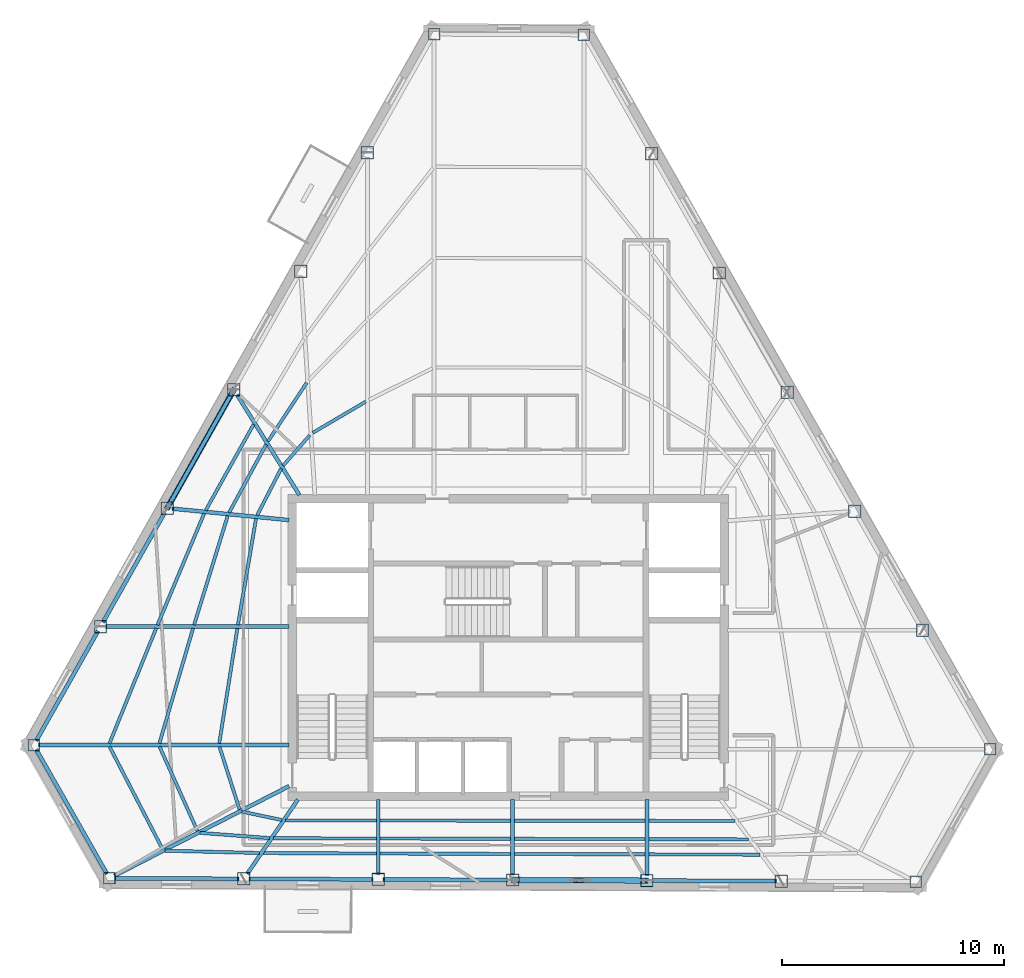
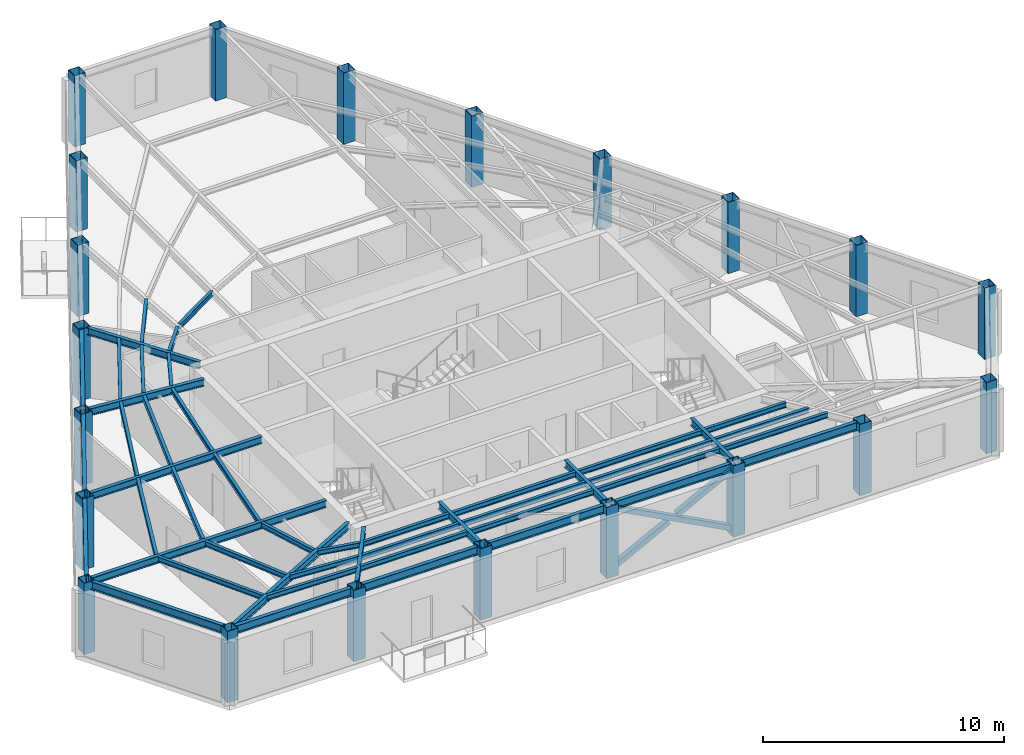
# One storey, part 1 of 10: 48 beams, 21 columns, 4 members.
"""IFC4 building model written with IfcOpenShell, lengths in metres."""

from ifc_helpers import new_model, si_unit, direction, frame, origin, origin_2d, place, context, subcontext, project, spatial, hollow_rectangle, i_section, extrude, material, material_profile, profile_set, type_object, element, save


model = new_model("IFC4")

# Units and contexts
model_context = context("Model", 3, precision=1e-05, world=origin(), true_north=direction((0.0, 1.0)))
body_context = subcontext(model_context, "Body", "Model", "MODEL_VIEW")
ifc_project = project(units=[si_unit("LENGTHUNIT", "METRE"), si_unit("AREAUNIT", "SQUARE_METRE"), si_unit("VOLUMEUNIT", "CUBIC_METRE"), si_unit("PLANEANGLEUNIT", "RADIAN"), si_unit("MASSUNIT", "GRAM", prefix="KILO")], contexts=[model_context])

# Site, building, storey
site_placement = place(None, origin())
site = spatial("IfcSite", under=ifc_project, at=site_placement, CompositionType="ELEMENT")
building_placement = place(site_placement, origin())
building = spatial("IfcBuilding", under=site, at=building_placement, Name="Kavelnor Concourse Tower", CompositionType="ELEMENT")
storey_placement = place(building_placement, frame((0.0, 0.0, 239.5)))
storey = spatial("IfcBuildingStorey", under=building, at=storey_placement, Name="L60", CompositionType="ELEMENT", Elevation=239.5)

# Columns
ifc_material = material(Name="Steel Grade 350", Category="steel")
ifc_material_profile_1 = material_profile(ifc_material, hollow_rectangle(XDim=0.52001953125, YDim=0.52001953125, WallThickness=0.02392578125, at=origin_2d()), Name="SHS 520x520x24")
ifc_profile_set_1 = profile_set([ifc_material_profile_1], Name="Steel Grade 350")
column_type_1 = type_object("IfcColumnType", Name="COL-FOLD-Z4", PredefinedType="COLUMN", material=ifc_profile_set_1)
for number, where, z_axis, x_axis, name in (
    (1, (34.65771484375, 43.666015625, 0.0), (0.0, 0.0, 1.0), (1.0, 0.0, 0.0), "L60 Perimeter Corner-Fold Column F0-B0"),
    (2, (16.66259765625, 11.70556640625, 0.0), (0.0, 0.0, 1.0), (1.0, 0.0, 0.0), "L60 Perimeter Corner-Fold Column F0-B6"),
    (3, (20.06640625, 5.71923828125, 0.0), (0.0, 0.0, 1.0), (1.0, 0.0, 0.0), "L60 Perimeter Corner-Fold Column F1-B0"),
    (4, (56.308837890625, 5.56640625, 0.0), (0.0, 0.0, 1.0), (1.0, 0.0, 0.0), "L60 Perimeter Corner-Fold Column F1-B6"),
    (5, (59.659423828125, 11.517333984375, 0.0), (0.0, 0.0, 1.0), (1.0, 0.0, 0.0), "L60 Perimeter Corner-Fold Column F2-B0"),
    (6, (41.3955078125, 43.6376953125, 0.0), (0.0, 0.0, 1.0), (1.0, 0.0, 0.0), "L60 Perimeter Corner-Fold Column F2-B6"),
):
    element("IfcColumn", number, at=place(storey_placement, frame(where, z_axis=z_axis, x_axis=x_axis)), inside=storey, type_object=column_type_1, Name=name, PredefinedType="COLUMN", context=body_context, shape_type="SweptSolid", body=[
        extrude(hollow_rectangle(XDim=0.52001953125, YDim=0.52001953125, WallThickness=0.02392578125, at=origin_2d()), origin(), (0.0, 0.0, 1.0), 3.610107421875),
    ])
ifc_material_profile_2 = material_profile(ifc_material, hollow_rectangle(XDim=0.56005859375, YDim=0.56005859375, WallThickness=0.02490234375, at=origin_2d()), Name="SHS 560x560x25")
ifc_profile_set_2 = profile_set([ifc_material_profile_2], Name="Steel Grade 350")
column_type_2 = type_object("IfcColumnType", Name="COL-TUBE-Z4", PredefinedType="COLUMN", material=ifc_profile_set_2)
for number, where, z_axis, x_axis, name in (
    (7, (31.658447265625, 38.33935546875, 0.0), (0.0, 0.0, 1.0), (1.0, 0.0, 0.0), "L60 Perimeter Framed-Tube Column F0-B1"),
    (8, (28.6591796875, 33.0126953125, 0.0), (0.0, 0.0, 1.0), (1.0, 0.0, 0.0), "L60 Perimeter Framed-Tube Column F0-B2"),
    (9, (25.66015625, 27.685791015625, 0.0), (0.0, 0.0, 1.0), (1.0, 0.0, 0.0), "L60 Perimeter Framed-Tube Column F0-B3"),
    (10, (22.660888671875, 22.359130859375, 0.0), (0.0, 0.0, 1.0), (1.0, 0.0, 0.0), "L60 Perimeter Framed-Tube Column F0-B4"),
    (11, (19.66162109375, 17.032470703125, 0.0), (0.0, 0.0, 1.0), (1.0, 0.0, 0.0), "L60 Perimeter Framed-Tube Column F0-B5"),
    (12, (26.106689453125, 5.693603515625, 0.0), (0.0, 0.0, 1.0), (1.0, 0.0, 0.0), "L60 Perimeter Framed-Tube Column F1-B1"),
    (13, (32.147216796875, 5.668212890625, 0.0), (0.0, 0.0, 1.0), (1.0, 0.0, 0.0), "L60 Perimeter Framed-Tube Column F1-B2"),
    (14, (38.187744140625, 5.642822265625, 0.0), (0.0, 0.0, 1.0), (1.0, 0.0, 0.0), "L60 Perimeter Framed-Tube Column F1-B3"),
    (15, (44.22802734375, 5.6171875, 0.0), (0.0, 0.0, 1.0), (1.0, 0.0, 0.0), "L60 Perimeter Framed-Tube Column F1-B4"),
    (16, (50.2685546875, 5.591796875, 0.0), (0.0, 0.0, 1.0), (1.0, 0.0, 0.0), "L60 Perimeter Framed-Tube Column F1-B5"),
    (17, (56.615478515625, 16.87060546875, 0.0), (0.0, 0.0, 1.0), (1.0, 0.0, 0.0), "L60 Perimeter Framed-Tube Column F2-B1"),
    (18, (53.571533203125, 22.22412109375, 0.0), (0.0, 0.0, 1.0), (1.0, 0.0, 0.0), "L60 Perimeter Framed-Tube Column F2-B2"),
    (19, (50.527587890625, 27.577392578125, 0.0), (0.0, 0.0, 1.0), (1.0, 0.0, 0.0), "L60 Perimeter Framed-Tube Column F2-B3"),
    (20, (47.483642578125, 32.930908203125, 0.0), (0.0, 0.0, 1.0), (1.0, 0.0, 0.0), "L60 Perimeter Framed-Tube Column F2-B4"),
    (21, (44.439697265625, 38.2841796875, 0.0), (0.0, 0.0, 1.0), (1.0, 0.0, 0.0), "L60 Perimeter Framed-Tube Column F2-B5"),
):
    element("IfcColumn", number, at=place(storey_placement, frame(where, z_axis=z_axis, x_axis=x_axis)), inside=storey, type_object=column_type_2, Name=name, PredefinedType="COLUMN", context=body_context, shape_type="SweptSolid", body=[
        extrude(hollow_rectangle(XDim=0.56005859375, YDim=0.56005859375, WallThickness=0.02490234375, at=origin_2d()), origin(), (0.0, 0.0, 1.0), 3.610107421875),
    ])

# Beams
ifc_material_profile_3 = material_profile(ifc_material, i_section(OverallWidth=0.14599609375, OverallDepth=0.256103515625, WebThickness=0.00634765625, FlangeThickness=0.010986328125, at=origin_2d()), Name="250UB37")
ifc_profile_set_3 = profile_set([ifc_material_profile_3], Name="Steel Grade 350")
beam_type_1 = type_object("IfcBeamType", Name="BM-JOIST-250", PredefinedType="JOIST", material=ifc_profile_set_3)
beam_1_placement = place(storey_placement, frame((25.012939453125, 11.62744140625, 3.48193359375), z_axis=(0.304808687647, -0.952413599197, 0.0), x_axis=(0.952413599197, 0.304808687647, 0.0)))
element("IfcBeam", 22, at=beam_1_placement, inside=storey, type_object=beam_type_1, Name="L60 Secondary Composite Joist 01-1", PredefinedType="JOIST", context=body_context, shape_type="SweptSolid", body=[
    extrude(i_section(OverallWidth=0.14599609375, OverallDepth=0.256103515625, WebThickness=0.00634765625, FlangeThickness=0.010986328125, at=origin_2d()), origin(), (0.0, 0.0, 1.0), 2.956298828125),
])
beam_2_placement = place(storey_placement, frame((22.319580078125, 11.630859375, 3.48193359375), z_axis=(0.409995636711, -0.912087483676, 0.0), x_axis=(0.912087483676, 0.409995636711, 0.0)))
element("IfcBeam", 23, at=beam_2_placement, inside=storey, type_object=beam_type_1, Name="L60 Secondary Composite Joist 01-2", PredefinedType="JOIST", context=body_context, shape_type="SweptSolid", body=[
    extrude(i_section(OverallWidth=0.14599609375, OverallDepth=0.256103515625, WebThickness=0.00634765625, FlangeThickness=0.010986328125, at=origin_2d()), origin(), (0.0, 0.0, 1.0), 4.154052734375),
])
beam_3_placement = place(storey_placement, frame((20.072265625, 11.6328125, 3.48193359375), z_axis=(0.459284340985, -0.888289307673, 0.0), x_axis=(0.888289307673, 0.459284340985, 0.0)))
element("IfcBeam", 24, at=beam_3_placement, inside=storey, type_object=beam_type_1, Name="L60 Secondary Composite Joist 01-3", PredefinedType="JOIST", context=body_context, shape_type="SweptSolid", body=[
    extrude(i_section(OverallWidth=0.14599609375, OverallDepth=0.256103515625, WebThickness=0.00634765625, FlangeThickness=0.010986328125, at=origin_2d()), origin(), (0.0, 0.0, 1.0), 5.176513671875),
])
beam_4_placement = place(storey_placement, frame((26.019287109375, 8.716796875, 3.48193359375), z_axis=(0.978351774582, -0.20694879843, 0.0), x_axis=(0.20694879843, 0.978351774582, 0.0)))
element("IfcBeam", 25, at=beam_4_placement, inside=storey, type_object=beam_type_1, Name="L60 Secondary Composite Joist 02-1", PredefinedType="JOIST", context=body_context, shape_type="SweptSolid", body=[
    extrude(i_section(OverallWidth=0.14599609375, OverallDepth=0.256103515625, WebThickness=0.00634765625, FlangeThickness=0.010986328125, at=origin_2d()), origin(), (0.0, 0.0, 1.0), 1.835693359375),
])
beam_5_placement = place(storey_placement, frame((24.13818359375, 7.760986328125, 3.48193359375), z_axis=(0.997203513229, -0.074733882571, 0.0), x_axis=(0.074733882571, 0.997203513229, 0.0)))
element("IfcBeam", 26, at=beam_5_placement, inside=storey, type_object=beam_type_1, Name="L60 Secondary Composite Joist 02-2", PredefinedType="JOIST", context=body_context, shape_type="SweptSolid", body=[
    extrude(i_section(OverallWidth=0.14599609375, OverallDepth=0.256103515625, WebThickness=0.00634765625, FlangeThickness=0.010986328125, at=origin_2d()), origin(), (0.0, 0.0, 1.0), 3.139404296875),
])
beam_6_placement = place(storey_placement, frame((22.5693359375, 6.9599609375, 3.48193359375), z_axis=(0.999698678402, -0.024546942822, 0.0), x_axis=(0.024546942822, 0.999698678402, 0.0)))
element("IfcBeam", 27, at=beam_6_placement, inside=storey, type_object=beam_type_1, Name="L60 Secondary Composite Joist 02-3", PredefinedType="JOIST", context=body_context, shape_type="SweptSolid", body=[
    extrude(i_section(OverallWidth=0.14599609375, OverallDepth=0.256103515625, WebThickness=0.00634765625, FlangeThickness=0.010986328125, at=origin_2d()), origin(), (0.0, 0.0, 1.0), 4.246826171875),
])
beam_7_placement = place(storey_placement, frame((27.977294921875, 8.31982421875, 3.48193359375), z_axis=(0.999999543447, -0.000955565737, 0.0), x_axis=(0.000955565737, 0.999999543447, 0.0)))
element("IfcBeam", 28, at=beam_7_placement, inside=storey, type_object=beam_type_1, Name="L60 Secondary Composite Joist 03-1", PredefinedType="JOIST", context=body_context, shape_type="SweptSolid", body=[
    extrude(i_section(OverallWidth=0.14599609375, OverallDepth=0.256103515625, WebThickness=0.00634765625, FlangeThickness=0.010986328125, at=origin_2d()), origin(), (0.0, 0.0, 1.0), 4.087890625),
])
beam_8_placement = place(storey_placement, frame((27.4326171875, 7.52001953125, 3.48193359375), z_axis=(0.999995950594, -0.002845838278, 0.0), x_axis=(0.002845838278, 0.999995950594, 0.0)))
element("IfcBeam", 29, at=beam_8_placement, inside=storey, type_object=beam_type_1, Name="L60 Secondary Composite Joist 03-2", PredefinedType="JOIST", context=body_context, shape_type="SweptSolid", body=[
    extrude(i_section(OverallWidth=0.14599609375, OverallDepth=0.256103515625, WebThickness=0.00634765625, FlangeThickness=0.010986328125, at=origin_2d()), origin(), (0.0, 0.0, 1.0), 4.632568359375),
])
beam_9_placement = place(storey_placement, frame((26.978759765625, 6.853515625, 3.48193359375), z_axis=(0.999991677437, -0.004079835489, 0.0), x_axis=(0.004079835489, 0.999991677437, 0.0)))
element("IfcBeam", 30, at=beam_9_placement, inside=storey, type_object=beam_type_1, Name="L60 Secondary Composite Joist 03-3", PredefinedType="JOIST", context=body_context, shape_type="SweptSolid", body=[
    extrude(i_section(OverallWidth=0.14599609375, OverallDepth=0.256103515625, WebThickness=0.00634765625, FlangeThickness=0.010986328125, at=origin_2d()), origin(), (0.0, 0.0, 1.0), 5.08642578125),
])
for number, where, z_axis, x_axis, name in (
    (31, (32.229248046875, 8.31591796875, 3.48193359375), (0.999999274206, -0.001204818403, 0.0), (0.001204818403, 0.999999274206, 0.0), "L60 Secondary Composite Joist 04-1"),
    (32, (32.229248046875, 7.506591796875, 3.48193359375), (0.999997575803, -0.002201905755, 0.0), (0.002201905755, 0.999997575803, 0.0), "L60 Secondary Composite Joist 04-2"),
    (33, (32.229248046875, 6.83203125, 3.48193359375), (0.99999540103, -0.003032806991, 0.0), (0.003032806991, 0.99999540103, 0.0), "L60 Secondary Composite Joist 04-3"),
):
    element("IfcBeam", number, at=place(storey_placement, frame(where, z_axis=z_axis, x_axis=x_axis)), inside=storey, type_object=beam_type_1, Name=name, PredefinedType="JOIST", context=body_context, shape_type="SweptSolid", body=[
        extrude(i_section(OverallWidth=0.14599609375, OverallDepth=0.256103515625, WebThickness=0.00634765625, FlangeThickness=0.010986328125, at=origin_2d()), origin(), (0.0, 0.0, 1.0), 5.87646484375),
    ])
for number, where, z_axis, x_axis, name in (
    (34, (38.269775390625, 8.30859375, 3.48193359375), (0.999999323342, -0.001163321328, 0.0), (0.001163321328, 0.999999323342, 0.0), "L60 Secondary Composite Joist 05-1"),
    (35, (38.269775390625, 7.493408203125, 3.48193359375), (0.999997575601, -0.002201997237, 0.0), (0.002201997237, 0.999997575601, 0.0), "L60 Secondary Composite Joist 05-2"),
    (36, (38.269775390625, 6.813720703125, 3.48193359375), (0.999995400648, -0.003032932995, 0.0), (0.003032932995, 0.999995400648, 0.0), "L60 Secondary Composite Joist 05-3"),
):
    element("IfcBeam", number, at=place(storey_placement, frame(where, z_axis=z_axis, x_axis=x_axis)), inside=storey, type_object=beam_type_1, Name=name, PredefinedType="JOIST", context=body_context, shape_type="SweptSolid", body=[
        extrude(i_section(OverallWidth=0.14599609375, OverallDepth=0.256103515625, WebThickness=0.00634765625, FlangeThickness=0.010986328125, at=origin_2d()), origin(), (0.0, 0.0, 1.0), 5.876220703125),
    ])
beam_10_placement = place(storey_placement, frame((44.31005859375, 8.301513671875, 3.48193359375), z_axis=(0.999996489629, -0.002649665798, 0.0), x_axis=(0.002649665798, 0.999996489629, 0.0)))
element("IfcBeam", 37, at=beam_10_placement, inside=storey, type_object=beam_type_1, Name="L60 Secondary Composite Joist 06-1", PredefinedType="JOIST", context=body_context, shape_type="SweptSolid", body=[
    extrude(i_section(OverallWidth=0.14599609375, OverallDepth=0.256103515625, WebThickness=0.00634765625, FlangeThickness=0.010986328125, at=origin_2d()), origin(), (0.0, 0.0, 1.0), 3.869873046875),
])
beam_11_placement = place(storey_placement, frame((44.31005859375, 7.47998046875, 3.48193359375), z_axis=(0.999996141998, -0.002777767061, 0.0), x_axis=(0.002777767061, 0.999996141998, 0.0)))
element("IfcBeam", 38, at=beam_11_placement, inside=storey, type_object=beam_type_1, Name="L60 Secondary Composite Joist 06-2", PredefinedType="JOIST", context=body_context, shape_type="SweptSolid", body=[
    extrude(i_section(OverallWidth=0.14599609375, OverallDepth=0.256103515625, WebThickness=0.00634765625, FlangeThickness=0.010986328125, at=origin_2d()), origin(), (0.0, 0.0, 1.0), 4.482421875),
])
beam_12_placement = place(storey_placement, frame((44.31005859375, 6.79541015625, 3.48193359375), z_axis=(0.999995838167, -0.002885073567, 0.0), x_axis=(0.002885073567, 0.999995838167, 0.0)))
element("IfcBeam", 39, at=beam_12_placement, inside=storey, type_object=beam_type_1, Name="L60 Secondary Composite Joist 06-3", PredefinedType="JOIST", context=body_context, shape_type="SweptSolid", body=[
    extrude(i_section(OverallWidth=0.14599609375, OverallDepth=0.256103515625, WebThickness=0.00634765625, FlangeThickness=0.010986328125, at=origin_2d()), origin(), (0.0, 0.0, 1.0), 4.99267578125),
])
beam_13_placement = place(storey_placement, frame((31.587890625, 27.148681640625, 3.48193359375), z_axis=(-0.861762329693, -0.507312218582, 0.0), x_axis=(0.507312218582, -0.861762329693, 0.0)))
element("IfcBeam", 40, at=beam_13_placement, inside=storey, type_object=beam_type_1, Name="L60 Secondary Composite Joist 17-1", PredefinedType="JOIST", context=body_context, shape_type="SweptSolid", body=[
    extrude(i_section(OverallWidth=0.14599609375, OverallDepth=0.256103515625, WebThickness=0.00634765625, FlangeThickness=0.010986328125, at=origin_2d()), origin(), (0.0, 0.0, 1.0), 2.77587890625),
])
beam_14_placement = place(storey_placement, frame((29.0712890625, 25.63720703125, 3.48193359375), z_axis=(-0.659132532781, -0.752026797548, 0.0), x_axis=(0.752026797548, -0.659132532781, 0.0)))
element("IfcBeam", 41, at=beam_14_placement, inside=storey, type_object=beam_type_1, Name="L60 Secondary Composite Joist 18-1", PredefinedType="JOIST", context=body_context, shape_type="SweptSolid", body=[
    extrude(i_section(OverallWidth=0.14599609375, OverallDepth=0.256103515625, WebThickness=0.00634765625, FlangeThickness=0.010986328125, at=origin_2d()), origin(), (0.0, 0.0, 1.0), 1.816162109375),
])
beam_15_placement = place(storey_placement, frame((28.929443359375, 27.994873046875, 3.48193359375), z_axis=(-0.550728992467, -0.834684118009, 0.0), x_axis=(0.834684118009, -0.550728992467, 0.0)))
element("IfcBeam", 42, at=beam_15_placement, inside=storey, type_object=beam_type_1, Name="L60 Secondary Composite Joist 18-2", PredefinedType="JOIST", context=body_context, shape_type="SweptSolid", body=[
    extrude(i_section(OverallWidth=0.14599609375, OverallDepth=0.256103515625, WebThickness=0.00634765625, FlangeThickness=0.010986328125, at=origin_2d()), origin(), (0.0, 0.0, 1.0), 3.154541015625),
])
beam_16_placement = place(storey_placement, frame((27.78271484375, 24.136962890625, 3.48193359375), z_axis=(-0.456999489445, -0.889466956467, 0.0), x_axis=(0.889466956467, -0.456999489445, 0.0)))
element("IfcBeam", 43, at=beam_16_placement, inside=storey, type_object=beam_type_1, Name="L60 Secondary Composite Joist 19-1", PredefinedType="JOIST", context=body_context, shape_type="SweptSolid", body=[
    extrude(i_section(OverallWidth=0.14599609375, OverallDepth=0.256103515625, WebThickness=0.00634765625, FlangeThickness=0.010986328125, at=origin_2d()), origin(), (0.0, 0.0, 1.0), 2.358642578125),
])
beam_17_placement = place(storey_placement, frame((27.10791015625, 25.22119140625, 3.48193359375), z_axis=(-0.477741570411, -0.878500422255, 0.0), x_axis=(0.878500422255, -0.477741570411, 0.0)))
element("IfcBeam", 44, at=beam_17_placement, inside=storey, type_object=beam_type_1, Name="L60 Secondary Composite Joist 19-2", PredefinedType="JOIST", context=body_context, shape_type="SweptSolid", body=[
    extrude(i_section(OverallWidth=0.14599609375, OverallDepth=0.256103515625, WebThickness=0.00634765625, FlangeThickness=0.010986328125, at=origin_2d()), origin(), (0.0, 0.0, 1.0), 3.482177734375),
])
beam_18_placement = place(storey_placement, frame((26.546142578125, 26.12451171875, 3.48193359375), z_axis=(-0.487063452655, -0.87336658574, 0.0), x_axis=(0.87336658574, -0.487063452655, 0.0)))
element("IfcBeam", 45, at=beam_18_placement, inside=storey, type_object=beam_type_1, Name="L60 Secondary Composite Joist 19-3", PredefinedType="JOIST", context=body_context, shape_type="SweptSolid", body=[
    extrude(i_section(OverallWidth=0.14599609375, OverallDepth=0.256103515625, WebThickness=0.00634765625, FlangeThickness=0.010986328125, at=origin_2d()), origin(), (0.0, 0.0, 1.0), 4.41943359375),
])
beam_19_placement = place(storey_placement, frame((26.653564453125, 21.88525390625, 3.48193359375), z_axis=(-0.167800390938, -0.98582099227, 0.0), x_axis=(0.98582099227, -0.167800390938, 0.0)))
element("IfcBeam", 46, at=beam_19_placement, inside=storey, type_object=beam_type_1, Name="L60 Secondary Composite Joist 20-1", PredefinedType="JOIST", context=body_context, shape_type="SweptSolid", body=[
    extrude(i_section(OverallWidth=0.14599609375, OverallDepth=0.256103515625, WebThickness=0.00634765625, FlangeThickness=0.010986328125, at=origin_2d()), origin(), (0.0, 0.0, 1.0), 4.840576171875),
])
beam_20_placement = place(storey_placement, frame((25.381103515625, 22.01171875, 3.48193359375), z_axis=(-0.294667847898, -0.955599738078, 0.0), x_axis=(0.955599738078, -0.294667847898, 0.0)))
element("IfcBeam", 47, at=beam_20_placement, inside=storey, type_object=beam_type_1, Name="L60 Secondary Composite Joist 20-2", PredefinedType="JOIST", context=body_context, shape_type="SweptSolid", body=[
    extrude(i_section(OverallWidth=0.14599609375, OverallDepth=0.256103515625, WebThickness=0.00634765625, FlangeThickness=0.010986328125, at=origin_2d()), origin(), (0.0, 0.0, 1.0), 5.128662109375),
])
beam_21_placement = place(storey_placement, frame((24.322021484375, 22.117431640625, 3.48193359375), z_axis=(-0.386048233785, -0.922478596603, 0.0), x_axis=(0.922478596603, -0.386048233785, 0.0)))
element("IfcBeam", 48, at=beam_21_placement, inside=storey, type_object=beam_type_1, Name="L60 Secondary Composite Joist 20-3", PredefinedType="JOIST", context=body_context, shape_type="SweptSolid", body=[
    extrude(i_section(OverallWidth=0.14599609375, OverallDepth=0.256103515625, WebThickness=0.00634765625, FlangeThickness=0.010986328125, at=origin_2d()), origin(), (0.0, 0.0, 1.0), 5.430419921875),
])
beam_22_placement = place(storey_placement, frame((25.81494140625, 16.951416015625, 3.48193359375), z_axis=(-0.155722791493, -0.987800795813, 0.0), x_axis=(0.987800795813, -0.155722791493, 0.0)))
element("IfcBeam", 49, at=beam_22_placement, inside=storey, type_object=beam_type_1, Name="L60 Secondary Composite Joist 21-1", PredefinedType="JOIST", context=body_context, shape_type="SweptSolid", body=[
    extrude(i_section(OverallWidth=0.14599609375, OverallDepth=0.256103515625, WebThickness=0.00634765625, FlangeThickness=0.010986328125, at=origin_2d()), origin(), (0.0, 0.0, 1.0), 5.228515625),
])
beam_23_placement = place(storey_placement, frame((23.822509765625, 16.95361328125, 3.48193359375), z_axis=(-0.280971049307, -0.959716244237, 0.0), x_axis=(0.959716244237, -0.280971049307, 0.0)))
element("IfcBeam", 50, at=beam_23_placement, inside=storey, type_object=beam_type_1, Name="L60 Secondary Composite Joist 21-2", PredefinedType="JOIST", context=body_context, shape_type="SweptSolid", body=[
    extrude(i_section(OverallWidth=0.14599609375, OverallDepth=0.256103515625, WebThickness=0.00634765625, FlangeThickness=0.010986328125, at=origin_2d()), origin(), (0.0, 0.0, 1.0), 5.386474609375),
])
beam_24_placement = place(storey_placement, frame((22.1630859375, 16.956298828125, 3.48193359375), z_axis=(-0.375668571984, -0.926754079583, 0.0), x_axis=(0.926754079583, -0.375668571984, 0.0)))
element("IfcBeam", 51, at=beam_24_placement, inside=storey, type_object=beam_type_1, Name="L60 Secondary Composite Joist 21-3", PredefinedType="JOIST", context=body_context, shape_type="SweptSolid", body=[
    extrude(i_section(OverallWidth=0.14599609375, OverallDepth=0.256103515625, WebThickness=0.00634765625, FlangeThickness=0.010986328125, at=origin_2d()), origin(), (0.0, 0.0, 1.0), 5.583740234375),
])
ifc_material_profile_4 = material_profile(ifc_material, i_section(OverallWidth=0.172119140625, OverallDepth=0.35888671875, WebThickness=0.008056640625, FlangeThickness=0.012939453125, at=origin_2d()), Name="360UB56")
ifc_profile_set_4 = profile_set([ifc_material_profile_4], Name="Steel Grade 350")
beam_type_2 = type_object("IfcBeamType", Name="BM-PRIMARY-360", PredefinedType="BEAM", material=ifc_profile_set_4)
beam_25_placement = place(storey_placement, frame((28.605712890625, 22.946044921875, 3.430419921875), z_axis=(-0.527829340369, 0.849350450312, 0.0), x_axis=(-0.849350450312, -0.527829340369, 0.0)))
element("IfcBeam", 52, at=beam_25_placement, inside=storey, type_object=beam_type_2, Name="L60 Primary Floor Girder F0-B3", PredefinedType="BEAM", context=body_context, shape_type="SweptSolid", body=[
    extrude(i_section(OverallWidth=0.172119140625, OverallDepth=0.35888671875, WebThickness=0.008056640625, FlangeThickness=0.012939453125, at=origin_2d()), origin(), (0.0, 0.0, 1.0), 5.314453125),
])
beam_26_placement = place(storey_placement, frame((28.139892578125, 21.82177734375, 3.430419921875), z_axis=(-0.99522746938, 0.097582191984, 0.0), x_axis=(-0.097582191984, -0.99522746938, 0.0)))
element("IfcBeam", 53, at=beam_26_placement, inside=storey, type_object=beam_type_2, Name="L60 Primary Floor Girder F0-B4", PredefinedType="BEAM", context=body_context, shape_type="SweptSolid", body=[
    extrude(i_section(OverallWidth=0.172119140625, OverallDepth=0.35888671875, WebThickness=0.008056640625, FlangeThickness=0.012939453125, at=origin_2d()), origin(), (0.0, 0.0, 1.0), 5.283935546875),
])
beam_27_placement = place(storey_placement, frame((28.139892578125, 17.032470703125, 3.430419921875), z_axis=(-1.0, 0.0, 0.0), x_axis=(0.0, -1.0, 0.0)))
element("IfcBeam", 54, at=beam_27_placement, inside=storey, type_object=beam_type_2, Name="L60 Primary Floor Girder F0-B5", PredefinedType="BEAM", context=body_context, shape_type="SweptSolid", body=[
    extrude(i_section(OverallWidth=0.172119140625, OverallDepth=0.35888671875, WebThickness=0.008056640625, FlangeThickness=0.012939453125, at=origin_2d()), origin(), (0.0, 0.0, 1.0), 8.25830078125),
])
beam_28_placement = place(storey_placement, frame((28.139892578125, 11.70556640625, 3.430419921875), z_axis=(-1.0, 0.0, 0.0), x_axis=(0.0, -1.0, 0.0)))
element("IfcBeam", 55, at=beam_28_placement, inside=storey, type_object=beam_type_2, Name="L60 Primary Floor Girder F0-B6", PredefinedType="BEAM", context=body_context, shape_type="SweptSolid", body=[
    extrude(i_section(OverallWidth=0.172119140625, OverallDepth=0.35888671875, WebThickness=0.008056640625, FlangeThickness=0.012939453125, at=origin_2d()), origin(), (0.0, 0.0, 1.0), 11.25732421875),
])
beam_29_placement = place(storey_placement, frame((28.135498046875, 9.861083984375, 3.430419921875), z_axis=(-0.889648193488, -0.456646572115, 0.0), x_axis=(0.456646572115, -0.889648193488, 0.0)))
element("IfcBeam", 56, at=beam_29_placement, inside=storey, type_object=beam_type_2, Name="L60 Primary Floor Girder F1-B0", PredefinedType="BEAM", context=body_context, shape_type="SweptSolid", body=[
    extrude(i_section(OverallWidth=0.172119140625, OverallDepth=0.35888671875, WebThickness=0.008056640625, FlangeThickness=0.012939453125, at=origin_2d()), origin(), (0.0, 0.0, 1.0), 8.81787109375),
])
beam_30_placement = place(storey_placement, frame((28.53076171875, 9.253173828125, 3.430419921875), z_axis=(-0.562848195673, -0.826560287352, 0.0), x_axis=(0.826560287352, -0.562848195673, 0.0)))
element("IfcBeam", 57, at=beam_30_placement, inside=storey, type_object=beam_type_2, Name="L60 Primary Floor Girder F1-B1", PredefinedType="BEAM", context=body_context, shape_type="SweptSolid", body=[
    extrude(i_section(OverallWidth=0.172119140625, OverallDepth=0.35888671875, WebThickness=0.008056640625, FlangeThickness=0.012939453125, at=origin_2d()), origin(), (0.0, 0.0, 1.0), 4.03173828125),
])
beam_31_placement = place(storey_placement, frame((32.147216796875, 9.260009765625, 3.430419921875), z_axis=(0.0, -1.0, 0.0), x_axis=(1.0, 0.0, 0.0)))
element("IfcBeam", 58, at=beam_31_placement, inside=storey, type_object=beam_type_2, Name="L60 Primary Floor Girder F1-B2", PredefinedType="BEAM", context=body_context, shape_type="SweptSolid", body=[
    extrude(i_section(OverallWidth=0.172119140625, OverallDepth=0.35888671875, WebThickness=0.008056640625, FlangeThickness=0.012939453125, at=origin_2d()), origin(), (0.0, 0.0, 1.0), 3.371826171875),
])
beam_32_placement = place(storey_placement, frame((38.187744140625, 9.260009765625, 3.430419921875), z_axis=(0.0, -1.0, 0.0), x_axis=(1.0, 0.0, 0.0)))
element("IfcBeam", 59, at=beam_32_placement, inside=storey, type_object=beam_type_2, Name="L60 Primary Floor Girder F1-B3", PredefinedType="BEAM", context=body_context, shape_type="SweptSolid", body=[
    extrude(i_section(OverallWidth=0.172119140625, OverallDepth=0.35888671875, WebThickness=0.008056640625, FlangeThickness=0.012939453125, at=origin_2d()), origin(), (0.0, 0.0, 1.0), 3.397216796875),
])
beam_33_placement = place(storey_placement, frame((44.22802734375, 9.260009765625, 3.430419921875), z_axis=(0.0, -1.0, 0.0), x_axis=(1.0, 0.0, 0.0)))
element("IfcBeam", 60, at=beam_33_placement, inside=storey, type_object=beam_type_2, Name="L60 Primary Floor Girder F1-B4", PredefinedType="BEAM", context=body_context, shape_type="SweptSolid", body=[
    extrude(i_section(OverallWidth=0.172119140625, OverallDepth=0.35888671875, WebThickness=0.008056640625, FlangeThickness=0.012939453125, at=origin_2d()), origin(), (0.0, 0.0, 1.0), 3.422607421875),
])
ifc_material_profile_5 = material_profile(ifc_material, i_section(OverallWidth=0.177978515625, OverallDepth=0.406005859375, WebThickness=0.0078125, FlangeThickness=0.0126953125, at=origin_2d()), Name="410UB59")
ifc_profile_set_5 = profile_set([ifc_material_profile_5], Name="Steel Grade 350")
beam_type_3 = type_object("IfcBeamType", Name="BM-SPANDREL-Z4", PredefinedType="SPANDREL", material=ifc_profile_set_5)
beam_34_placement = place(storey_placement, frame((25.5498046875, 27.48974609375, 3.406982421875), z_axis=(-0.490645992472, -0.871359001831, 0.0), x_axis=(0.871359001831, -0.490645992472, 0.0)))
element("IfcBeam", 61, at=beam_34_placement, inside=storey, type_object=beam_type_3, Name="L60 Perimeter Tube Spandrel Beam F0-B3", PredefinedType="SPANDREL", context=body_context, shape_type="SweptSolid", body=[
    extrude(i_section(OverallWidth=0.177978515625, OverallDepth=0.406005859375, WebThickness=0.0078125, FlangeThickness=0.0126953125, at=origin_2d()), origin(), (0.0, 0.0, 1.0), 5.6630859375),
])
for number, where, z_axis, x_axis, name in (
    (62, (22.550537109375, 22.1630859375, 3.406982421875), (-0.490613258714, -0.871377432789, 0.0), (0.871377432789, -0.490613258714, 0.0), "L60 Perimeter Tube Spandrel Beam F0-B4"),
    (63, (19.55126953125, 16.836181640625, 3.406982421875), (-0.490613258714, -0.871377432789, 0.0), (0.871377432789, -0.490613258714, 0.0), "L60 Perimeter Tube Spandrel Beam F0-B5"),
):
    element("IfcBeam", number, at=place(storey_placement, frame(where, z_axis=z_axis, x_axis=x_axis)), inside=storey, type_object=beam_type_3, Name=name, PredefinedType="SPANDREL", context=body_context, shape_type="SweptSolid", body=[
        extrude(i_section(OverallWidth=0.177978515625, OverallDepth=0.406005859375, WebThickness=0.0078125, FlangeThickness=0.0126953125, at=origin_2d()), origin(), (0.0, 0.0, 1.0), 5.662841796875),
    ])
for number, where, z_axis, x_axis, name in (
    (64, (20.29150390625, 5.71826171875, 3.406982421875), (0.999991027519, -0.004236139823, 0.0), (0.004236139823, 0.999991027519, 0.0), "L60 Perimeter Tube Spandrel Beam F1-B0"),
    (65, (26.331787109375, 5.69287109375, 3.406982421875), (0.999991027519, -0.004236139823, 0.0), (0.004236139823, 0.999991027519, 0.0), "L60 Perimeter Tube Spandrel Beam F1-B1"),
    (66, (32.372314453125, 5.66748046875, 3.406982421875), (0.999991027519, -0.004236139823, 0.0), (0.004236139823, 0.999991027519, 0.0), "L60 Perimeter Tube Spandrel Beam F1-B2"),
):
    element("IfcBeam", number, at=place(storey_placement, frame(where, z_axis=z_axis, x_axis=x_axis)), inside=storey, type_object=beam_type_3, Name=name, PredefinedType="SPANDREL", context=body_context, shape_type="SweptSolid", body=[
        extrude(i_section(OverallWidth=0.177978515625, OverallDepth=0.406005859375, WebThickness=0.0078125, FlangeThickness=0.0126953125, at=origin_2d()), origin(), (0.0, 0.0, 1.0), 5.59033203125),
    ])
beam_35_placement = place(storey_placement, frame((38.41259765625, 5.641845703125, 3.406982421875), z_axis=(0.999991028303, -0.004235954834, 0.0), x_axis=(0.004235954834, 0.999991028303, 0.0)))
element("IfcBeam", 67, at=beam_35_placement, inside=storey, type_object=beam_type_3, Name="L60 Perimeter Tube Spandrel Beam F1-B3", PredefinedType="SPANDREL", context=body_context, shape_type="SweptSolid", body=[
    extrude(i_section(OverallWidth=0.177978515625, OverallDepth=0.406005859375, WebThickness=0.0078125, FlangeThickness=0.0126953125, at=origin_2d()), origin(), (0.0, 0.0, 1.0), 5.590576171875),
])
beam_36_placement = place(storey_placement, frame((44.453125, 5.616455078125, 3.406982421875), z_axis=(0.999991027519, -0.004236139823, 0.0), x_axis=(0.004236139823, 0.999991027519, 0.0)))
element("IfcBeam", 68, at=beam_36_placement, inside=storey, type_object=beam_type_3, Name="L60 Perimeter Tube Spandrel Beam F1-B4", PredefinedType="SPANDREL", context=body_context, shape_type="SweptSolid", body=[
    extrude(i_section(OverallWidth=0.177978515625, OverallDepth=0.406005859375, WebThickness=0.0078125, FlangeThickness=0.0126953125, at=origin_2d()), origin(), (0.0, 0.0, 1.0), 5.59033203125),
])
beam_37_placement = place(storey_placement, frame((16.773681640625, 11.510009765625, 3.406982421875), z_axis=(0.494279181383, -0.869303221466, 0.0), x_axis=(0.869303221466, 0.494279181383, 0.0)))
element("IfcBeam", 69, at=beam_37_placement, inside=storey, type_object=beam_type_3, Name="L60 Chamfer Facet Spandrel Beam C1", PredefinedType="SPANDREL", context=body_context, shape_type="SweptSolid", body=[
    extrude(i_section(OverallWidth=0.177978515625, OverallDepth=0.406005859375, WebThickness=0.0078125, FlangeThickness=0.0126953125, at=origin_2d()), origin(), (0.0, 0.0, 1.0), 6.4365234375),
])

# Members
ifc_material_profile_6 = material_profile(ifc_material, hollow_rectangle(XDim=0.25, YDim=0.25, WallThickness=0.01611328125, at=origin_2d()), Name="SHS 250x250x16")
ifc_profile_set_6 = profile_set([ifc_material_profile_6], Name="Steel Grade 350")
member_type = type_object("IfcMemberType", Name="MBR-TUBE-DIAG-Z4", PredefinedType="BRACE", material=ifc_profile_set_6)
member_1_placement = place(storey_placement, frame((25.66015625, 27.685791015625, 0.219970703125), z_axis=(-0.435060617935, -0.772661991218, 0.462293960645), x_axis=(0.871364271485, -0.490636633752, 0.0)))
element("IfcMember", 70, at=member_1_placement, inside=storey, type_object=member_type, Name="L60 Framed-Tube Bracing Diagonal F0-B3", PredefinedType="BRACE", context=body_context, shape_type="SweptSolid", body=[
    extrude(hollow_rectangle(XDim=0.25, YDim=0.25, WallThickness=0.01611328125, at=origin_2d()), origin(), (0.0, 0.0, 1.0), 6.893798828125),
])
member_2_placement = place(storey_placement, frame((44.22802734375, 5.6171875, 0.219970703125), z_axis=(-0.884433853302, 0.003753508532, 0.466650479811), x_axis=(-0.004243929284, -0.999990994492, 0.0)))
element("IfcMember", 71, at=member_2_placement, inside=storey, type_object=member_type, Name="L60 Framed-Tube Bracing Diagonal F1-B3", PredefinedType="BRACE", context=body_context, shape_type="SweptSolid", body=[
    extrude(hollow_rectangle(XDim=0.25, YDim=0.25, WallThickness=0.01611328125, at=origin_2d()), origin(), (0.0, 0.0, 1.0), 6.82958984375),
])
for number, where, z_axis, x_axis, name in (
    (72, (38.187744140625, 5.642822265625, 0.219970703125), (0.884440761604, -0.003744715918, 0.466637457043), (0.004233954964, 0.999991036773, 0.0), "L60 Framed-Tube X-Brace Lower Segment F1-B3"),
    (73, (41.402587890625, 5.62939453125, 1.916259765625), (0.884440505911, -0.003821137587, 0.466637322137), (0.004320360612, 0.999990667199, 0.0), "L60 Framed-Tube X-Brace Upper Segment F1-B3"),
):
    element("IfcMember", number, at=place(storey_placement, frame(where, z_axis=z_axis, x_axis=x_axis)), inside=storey, type_object=member_type, Name=name, PredefinedType="BRACE", context=body_context, shape_type="SweptSolid", body=[
        extrude(hollow_rectangle(XDim=0.25, YDim=0.25, WallThickness=0.01611328125, at=origin_2d()), origin(), (0.0, 0.0, 1.0), 3.194580078125),
    ])

save(model, "model.ifc")
